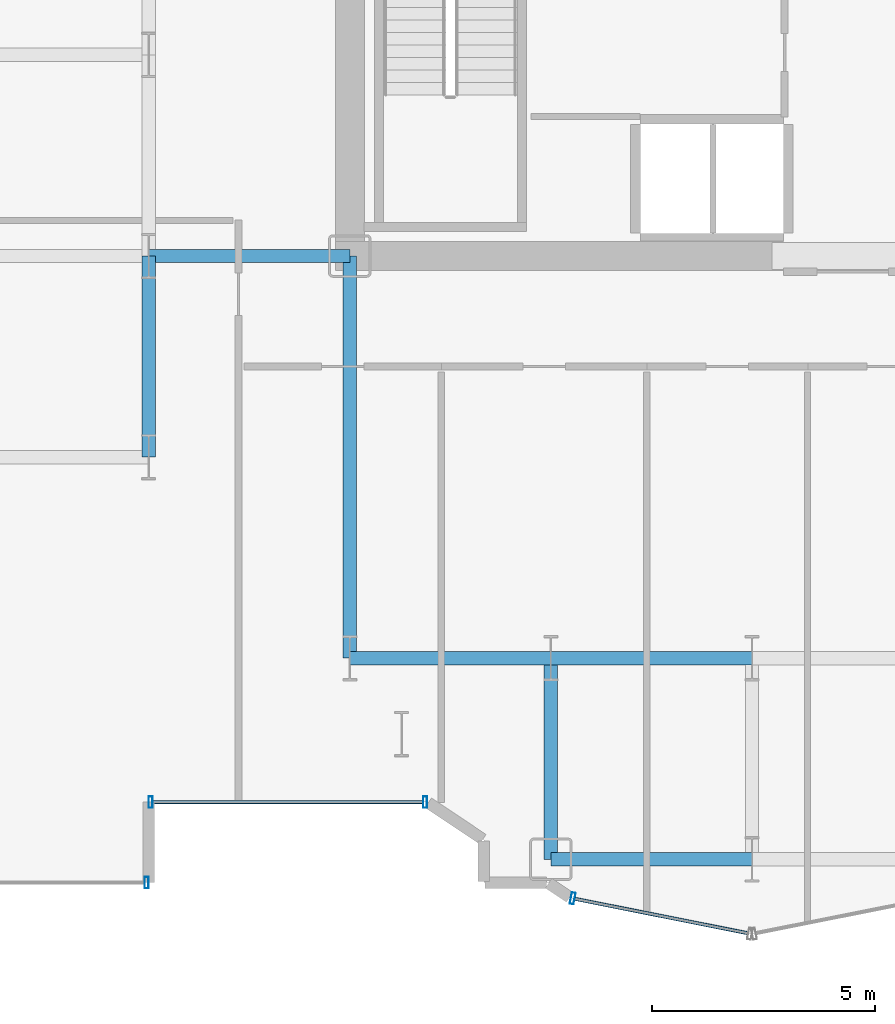
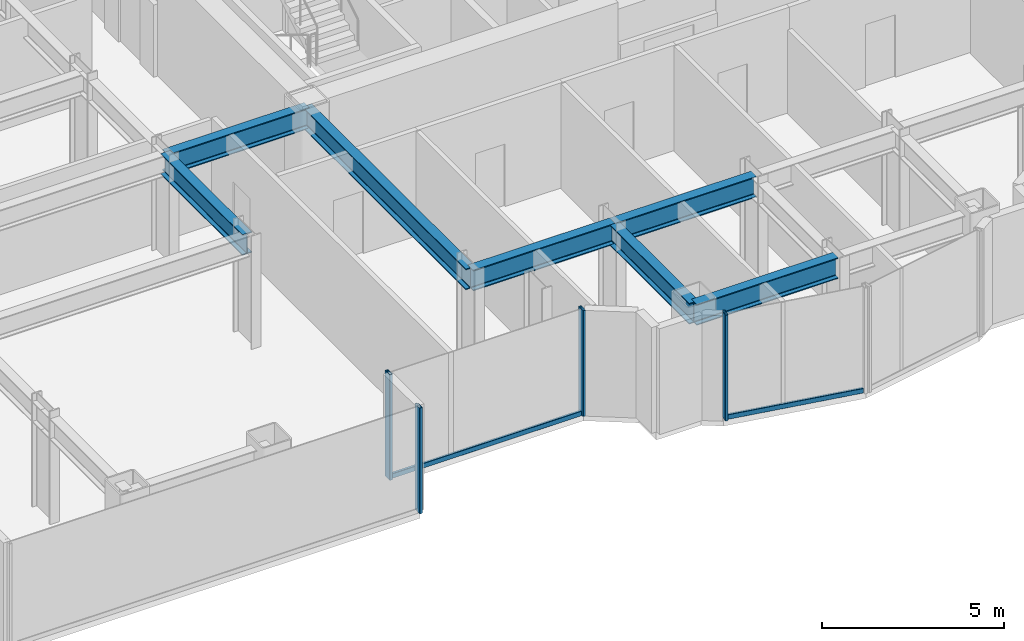
# One storey, part 4 of 30: 7 beams, 6 members, 3 elements without a shape of their own.
"""IFC4 building model written with IfcOpenShell, lengths in metres."""

import ifcopenshell
import ifcopenshell.guid

model = None  # the IFC model being written
_history = None  # IfcOwnerHistory: only IFC2X3 demands one
_inside = {}  # id of a spatial element -> (the spatial element, [elements in it])
_under = {}  # id of a project, library or spatial element -> (it, [spatial elements below it])
_declared = {}  # id of a project -> (the project, [libraries it declares])
_typed = {}  # id of a type object -> (the type object, [elements of that type])
_made_of = {}  # id of a material, layer set ... -> (it, [elements and type objects made of it])


def new_model(schema):
    """Start an empty IFC model of exactly this schema.

    Asked for "IFC4X3", IfcOpenShell would pick the latest addendum, in which some entities
    have other attributes; the version numbers below select the first issue.
    IFC2X3 requires an IfcOwnerHistory on every rooted entity: one is made here for all.
    """
    global model, _history
    if schema == "IFC4X3":
        model = ifcopenshell.file(schema_version=(4, 3, 0, 0))
    else:
        model = ifcopenshell.file(schema=schema)
    _inside.clear()
    _under.clear()
    _declared.clear()
    _typed.clear()
    _made_of.clear()
    _history = None
    if model.schema == "IFC2X3":
        org = make("IfcOrganization", Name="unknown")
        user = make(
            "IfcPersonAndOrganization",
            ThePerson=make("IfcPerson", FamilyName="unknown"),
            TheOrganization=org,
        )
        app = make(
            "IfcApplication",
            ApplicationDeveloper=org,
            Version="unknown",
            ApplicationFullName="unknown",
            ApplicationIdentifier="unknown",
        )
        _history = make(
            "IfcOwnerHistory",
            OwningUser=user,
            OwningApplication=app,
            ChangeAction="ADDED",
            CreationDate=0,
        )
    return model


def make(cls, **values):
    """One entity of the class cls with the attributes given. An attribute that is None is left unset."""
    return model.create_entity(
        cls, **{name: value for name, value in values.items() if value is not None}
    )


def rooted(cls, **values):
    """An entity with a GlobalId (a new one), such as an element, a storey or a relation."""
    return make(cls, GlobalId=ifcopenshell.guid.new(), OwnerHistory=_history, **values)


def si_unit(unit_type, name, prefix=None):
    """IfcSIUnit, for example si_unit("LENGTHUNIT", "METRE", prefix="MILLI")."""
    return make("IfcSIUnit", UnitType=unit_type, Prefix=prefix, Name=name)


def assignment(units):
    """IfcUnitAssignment: the units of a project."""
    return None if units is None else make("IfcUnitAssignment", Units=units)


def point(xyz):
    """IfcCartesianPoint."""
    return None if xyz is None else make("IfcCartesianPoint", Coordinates=xyz)


def direction(xyz):
    """IfcDirection."""
    return None if xyz is None else make("IfcDirection", DirectionRatios=xyz)


def frame(location, z_axis=None, x_axis=None):
    """IfcAxis2Placement3D, a coordinate frame: its origin and axes. An axis left out is left unset."""
    return make(
        "IfcAxis2Placement3D",
        Location=point(location),
        Axis=direction(z_axis),
        RefDirection=direction(x_axis),
    )


def frame_2d(location, x_axis=None):
    """IfcAxis2Placement2D, a coordinate frame in the plane: its origin and x axis."""
    return make(
        "IfcAxis2Placement2D", Location=point(location), RefDirection=direction(x_axis)
    )


def origin():
    """The frame at (0, 0, 0) with its axes left unset."""
    return frame((0.0, 0.0, 0.0))


def origin_2d():
    """The frame at (0, 0) in the plane with its x axis left unset."""
    return frame_2d((0.0, 0.0))


def place(relative_to, where):
    """IfcLocalPlacement: puts the frame where relative to a parent placement (None: the world)."""
    return make(
        "IfcLocalPlacement", PlacementRelTo=relative_to, RelativePlacement=where
    )


def context(
    kind, dimensions, precision=None, world=None, true_north=None, identifier=None
):
    """IfcGeometricRepresentationContext, for example the 3D "Model" context."""
    return make(
        "IfcGeometricRepresentationContext",
        ContextIdentifier=identifier,
        ContextType=kind,
        CoordinateSpaceDimension=dimensions,
        Precision=precision,
        WorldCoordinateSystem=world,
        TrueNorth=true_north,
    )


def subcontext(parent, identifier, kind, view, scale=None):
    """IfcGeometricRepresentationSubContext, for example "Body" below "Model"."""
    return make(
        "IfcGeometricRepresentationSubContext",
        ContextIdentifier=identifier,
        ContextType=kind,
        ParentContext=parent,
        TargetScale=scale,
        TargetView=view,
    )


def project(units=None, contexts=None):
    """IfcProject with its units and contexts."""
    return rooted(
        "IfcProject",
        Name="project",
        RepresentationContexts=contexts,
        UnitsInContext=assignment(units),
    )


def spatial(cls, under=None, at=None, **own):
    """A site, building, storey or space (cls), placed at a placement, below another one or the project."""
    s = rooted(cls, ObjectPlacement=at, **own)
    if under is not None:
        _under.setdefault(under.id(), (under, []))[1].append(s)
    return s


def profile(cls, at=None, kind="AREA", **sizes):
    """A parametric profile (cls). Its sizes go by their IFC names, for example OverallWidth=200.0."""
    return make(cls, ProfileType=kind, Position=at, **sizes)


def hollow_rectangle(**sizes):
    """IfcRectangleHollowProfileDef."""
    return profile("IfcRectangleHollowProfileDef", **sizes)


def i_section(**sizes):
    """IfcIShapeProfileDef."""
    return profile("IfcIShapeProfileDef", **sizes)


def extrude(swept, where, along, depth):
    """IfcExtrudedAreaSolid: the profile swept, set in the frame where, extruded along a direction by depth."""
    return make(
        "IfcExtrudedAreaSolid",
        SweptArea=swept,
        Position=where,
        ExtrudedDirection=direction(along),
        Depth=depth,
    )


def shape(context_of_items, identifier, shape_type, items):
    """IfcShapeRepresentation: the items that make up one representation, for example the "Body"."""
    return make(
        "IfcShapeRepresentation",
        ContextOfItems=context_of_items,
        RepresentationIdentifier=identifier,
        RepresentationType=shape_type,
        Items=items,
    )


def source(mapping_origin, context_of_items, identifier, shape_type, items):
    """IfcRepresentationMap: a shape defined once, which mapped items show again and again."""
    return make(
        "IfcRepresentationMap",
        MappingOrigin=mapping_origin,
        MappedRepresentation=shape(context_of_items, identifier, shape_type, items),
    )


def transform(
    local_origin,
    x_axis=None,
    y_axis=None,
    z_axis=None,
    scale=None,
    scale2=None,
    scale3=None,
    uniform=True,
):
    """IfcCartesianTransformationOperator3D, or its non-uniform kind. x_axis, y_axis, z_axis: its Axis1, 2, 3."""
    if uniform:
        return make(
            "IfcCartesianTransformationOperator3D",
            Axis1=direction(x_axis),
            Axis2=direction(y_axis),
            LocalOrigin=point(local_origin),
            Scale=scale,
            Axis3=direction(z_axis),
        )
    return make(
        "IfcCartesianTransformationOperator3DnonUniform",
        Axis1=direction(x_axis),
        Axis2=direction(y_axis),
        LocalOrigin=point(local_origin),
        Scale=scale,
        Axis3=direction(z_axis),
        Scale2=scale2,
        Scale3=scale3,
    )


def mapped(mapping_source, mapping_target):
    """IfcMappedItem: shows the shape of a source again, moved by a transform."""
    return make(
        "IfcMappedItem", MappingSource=mapping_source, MappingTarget=mapping_target
    )


def material(Name=None, Category=None):
    """IfcMaterial."""
    return make("IfcMaterial", Name=Name, Category=Category)


def layer(
    of_material, thickness, ventilated=None, Name=None, Category=None, Priority=None
):
    """IfcMaterialLayer: one layer of a wall or slab, of a material (None: an air gap)."""
    return make(
        "IfcMaterialLayer",
        Material=of_material,
        LayerThickness=thickness,
        IsVentilated=ventilated,
        Name=Name,
        Category=Category,
        Priority=Priority,
    )


def layer_set(layers, Name=None):
    """IfcMaterialLayerSet."""
    return make("IfcMaterialLayerSet", MaterialLayers=layers, LayerSetName=Name)


def material_profile(
    of_material, cross_section, Name=None, Category=None, Priority=None
):
    """IfcMaterialProfile: a cross section and its material."""
    return make(
        "IfcMaterialProfile",
        Name=Name,
        Material=of_material,
        Profile=cross_section,
        Priority=Priority,
        Category=Category,
    )


def profile_set(profiles, Name=None, composite=None):
    """IfcMaterialProfileSet."""
    return make(
        "IfcMaterialProfileSet",
        Name=Name,
        MaterialProfiles=profiles,
        CompositeProfile=composite,
    )


def made_of(thing, what):
    """Note that an element or type object is made of a material, layer set ...; save() writes the relation."""
    if what is not None:
        _made_of.setdefault(what.id(), (what, []))[1].append(thing)
    return thing


def type_object(cls, material=None, **own):
    """A type object (cls), such as IfcWallType, which elements share."""
    return made_of(rooted(cls, **own), material)


def element(
    cls,
    number,
    at=None,
    inside=None,
    cuts=None,
    type_object=None,
    material=None,
    context=None,
    identifier="Body",
    shape_type=None,
    held_by="IfcProductDefinitionShape",
    body=None,
    shapes=None,
    **own,
):
    """One element of the class cls, such as IfcWall. Its Tag is "e" and its number.

    at: its placement. inside: the storey or other place that contains it. cuts: it is an
    opening in that element (IfcRelVoidsElement). A single representation is given by context,
    identifier, shape_type and body (its items); several are given by shapes. held_by: the class
    of the entity that holds the representations. save() writes the other relations.
    """
    e = rooted(cls, Tag="e%d" % number, ObjectPlacement=at, **own)
    if body is not None:
        shapes = [shape(context, identifier, shape_type, body)]
    if shapes is not None:
        e.Representation = make(held_by, Representations=shapes)
    if inside is not None:
        _inside.setdefault(inside.id(), (inside, []))[1].append(e)
    if cuts is not None:
        rooted(
            "IfcRelVoidsElement", RelatingBuildingElement=cuts, RelatedOpeningElement=e
        )
    if type_object is not None:
        _typed.setdefault(type_object.id(), (type_object, []))[1].append(e)
    return made_of(e, material)


def aggregate(whole, parts):
    """IfcRelAggregates: a whole, such as a stair, and the parts it consists of."""
    return rooted("IfcRelAggregates", RelatingObject=whole, RelatedObjects=parts)


def save(model, path):
    """Write the relations noted so far, then the file.

    IfcRelAggregates (storeys below a building ...), IfcRelContainedInSpatialStructure (elements
    in a storey), IfcRelDefinesByType, IfcRelAssociatesMaterial and IfcRelDeclares: one each for
    every whole, place, type object, material and project.
    """
    for whole, parts in _under.values():
        aggregate(whole, parts)
    for where, things in _inside.values():
        rooted(
            "IfcRelContainedInSpatialStructure",
            RelatedElements=things,
            RelatingStructure=where,
        )
    for kind, things in _typed.values():
        rooted("IfcRelDefinesByType", RelatedObjects=things, RelatingType=kind)
    for what, things in _made_of.values():
        rooted("IfcRelAssociatesMaterial", RelatedObjects=things, RelatingMaterial=what)
    for by, libraries in _declared.values():
        rooted("IfcRelDeclares", RelatingContext=by, RelatedDefinitions=libraries)
    model.write(path)


model = new_model("IFC4")

# Units and contexts
model_context = context("Model", 3, precision=1e-05, world=origin(), true_north=direction((0.0, 1.0)))
body_context = subcontext(model_context, "Body", "Model", "MODEL_VIEW")
ifc_project = project(units=[si_unit("LENGTHUNIT", "METRE"), si_unit("AREAUNIT", "SQUARE_METRE"), si_unit("VOLUMEUNIT", "CUBIC_METRE"), si_unit("PLANEANGLEUNIT", "RADIAN"), si_unit("MASSUNIT", "GRAM", prefix="KILO")], contexts=[model_context])

# Site, building, storey
site_placement = place(None, origin())
site = spatial("IfcSite", under=ifc_project, at=site_placement, CompositionType="ELEMENT")
building_placement = place(site_placement, origin())
building = spatial("IfcBuilding", under=site, at=building_placement, Name="Nefas-Gora Pilgrimage Tower", CompositionType="ELEMENT")
storey_placement = place(building_placement, frame((0.0, 0.0, 33.0)))
storey = spatial("IfcBuildingStorey", under=building, at=storey_placement, Name="L06", CompositionType="ELEMENT", Elevation=33.0)

# Beams
ifc_material_1 = material(Name="Steel S355", Category="steel")
ifc_material_profile_1 = material_profile(ifc_material_1, i_section(OverallWidth=0.300048828125, OverallDepth=0.699951171875, WebThickness=0.01708984375, FlangeThickness=0.031982421875, FilletRadius=0.027099609375, at=origin_2d()), Name="HEB 700")
ifc_profile_set_1 = profile_set([ifc_material_profile_1], Name="Steel S355")
beam_type = type_object("IfcBeamType", Name="BM-GIR-HEB700", PredefinedType="BEAM", material=ifc_profile_set_1)
shared_shape_1 = source(origin(), body_context, "Body", "SweptSolid", [
    extrude(i_section(OverallWidth=0.300048828125, OverallDepth=0.699951171875, WebThickness=0.01708984375, FlangeThickness=0.031982421875, FilletRadius=0.027099609375, at=origin_2d()), origin(), (0.0, 0.0, 1.0), 9.0),
])
beam_placement = place(storey_placement, frame((-11.25, -18.0, 3.199951171875), z_axis=(0.0, 1.0, 0.0), x_axis=(-1.0, 0.0, 0.0)))
element("IfcBeam", 1, at=beam_placement, inside=storey, type_object=beam_type, Name="L06 G-02 beam", PredefinedType="BEAM", context=body_context, shape_type="MappedRepresentation", body=[
    mapped(shared_shape_1, transform((0.0, 0.0, 0.0), x_axis=(1.0, 0.0, 0.0), y_axis=(0.0, 1.0, 0.0), z_axis=(0.0, 0.0, 1.0), scale=1.0)),
])
shared_shape_2 = source(origin(), body_context, "Body", "SweptSolid", [
    extrude(i_section(OverallWidth=0.300048828125, OverallDepth=0.699951171875, WebThickness=0.01708984375, FlangeThickness=0.031982421875, FilletRadius=0.027099609375, at=origin_2d()), origin(), (0.0, 0.0, 1.0), 4.5),
])
for number, where, z_axis, x_axis, name in (
    (2, (-15.75, -13.5, 3.199951171875), (0.0, 1.0, 0.0), (-1.0, 0.0, 0.0), "L06 G-02 beam"),
    (3, (-15.75, -9.0, 3.199951171875), (1.0, 0.0, 0.0), (0.0, 1.0, 0.0), "L06 G-02 beam"),
    (4, (-11.25, -18.0, 3.199951171875), (1.0, 0.0, 0.0), (0.0, 1.0, 0.0), "L06 G-02 beam"),
    (5, (-6.75, -22.5, 3.199951171875), (0.0, 1.0, 0.0), (-1.0, 0.0, 0.0), "L06 G-02 beam"),
    (6, (-6.75, -22.5, 3.199951171875), (1.0, 0.0, 0.0), (0.0, 1.0, 0.0), "L06 G-02 beam"),
    (7, (-6.75, -18.0, 3.199951171875), (1.0, 0.0, 0.0), (0.0, 1.0, 0.0), "L06 G-02 beam"),
):
    element("IfcBeam", number, at=place(storey_placement, frame(where, z_axis=z_axis, x_axis=x_axis)), inside=storey, type_object=beam_type, Name=name, PredefinedType="BEAM", context=body_context, shape_type="MappedRepresentation", body=[
        mapped(shared_shape_2, transform((0.0, 0.0, 0.0), x_axis=(1.0, 0.0, 0.0), y_axis=(0.0, 1.0, 0.0), z_axis=(0.0, 0.0, 1.0), scale=1.0)),
    ])

# Curtain wall, members
ifc_material_2 = material(Name="Dark ceramic-fritted solar-control aluminium-glass curtain wall", Category="aluminium")
ifc_layer_1 = layer(ifc_material_2, 0.219970703125)
ifc_layer_set_1 = layer_set([ifc_layer_1], Name="Dark ceramic-fritted solar-control aluminium-glass curtain wall")
curtain_wall_type_1 = type_object("IfcCurtainWallType", Name="CW-SYS-5", PredefinedType="NOTDEFINED", material=ifc_layer_set_1)
curtain_wall_1_placement = place(storey_placement, origin())
curtain_wall_1 = element("IfcCurtainWall", 8, at=curtain_wall_1_placement, inside=storey, type_object=curtain_wall_type_1, Name="L06 Unitised Curtain Wall CW5", PredefinedType="NOTDEFINED")
ifc_material_3 = material(Name="Anodised architectural aluminium", Category="aluminium")
ifc_material_profile_2 = material_profile(ifc_material_3, hollow_rectangle(XDim=0.090087890625, YDim=0.260009765625, WallThickness=0.006103515625, InnerFilletRadius=0.006103515625, OuterFilletRadius=0.011962890625, at=origin_2d()), Name="ALU MULLION 90x260")
ifc_profile_set_2 = profile_set([ifc_material_profile_2], Name="Anodised architectural aluminium")
member_type_1 = type_object("IfcMemberType", Name="CWM-MUL-5", PredefinedType="MULLION", material=ifc_profile_set_2)
shared_shape_3 = source(origin(), body_context, "Body", "SweptSolid", [
    extrude(hollow_rectangle(XDim=0.090087890625, YDim=0.260009765625, WallThickness=0.006103515625, InnerFilletRadius=0.006103515625, OuterFilletRadius=0.011962890625, at=origin_2d()), origin(), (0.0, 0.0, 1.0), 3.550048828125),
])
member_1_placement = place(storey_placement, frame((-15.705078125, -21.219970703125, 0.0), z_axis=(0.0, 0.0, 1.0), x_axis=(1.0, 0.0, 0.0)))
member_1 = element("IfcMember", 9, at=member_1_placement, type_object=member_type_1, Name="CW5 Mullion 1", PredefinedType="MULLION", context=body_context, shape_type="MappedRepresentation", body=[
    mapped(shared_shape_3, transform((0.0, 0.0, 0.0), x_axis=(1.0, 0.0, 0.0), y_axis=(0.0, 1.0, 0.0), z_axis=(0.0, 0.0, 1.0), scale=1.0)),
])
member_2_placement = place(storey_placement, frame((-9.56298828125, -21.219970703125, 0.0), z_axis=(0.0, 0.0, 1.0), x_axis=(1.0, 0.0, 0.0)))
member_2 = element("IfcMember", 10, at=member_2_placement, type_object=member_type_1, Name="CW5 Mullion 2", PredefinedType="MULLION", context=body_context, shape_type="MappedRepresentation", body=[
    mapped(shared_shape_3, transform((0.0, 0.0, 0.0), x_axis=(1.0, 0.0, 0.0), y_axis=(0.0, 1.0, 0.0), z_axis=(0.0, 0.0, 1.0), scale=1.0)),
])

# Curtain wall, member
curtain_wall_2_placement = place(storey_placement, origin())
curtain_wall_2 = element("IfcCurtainWall", 11, at=curtain_wall_2_placement, inside=storey, type_object=curtain_wall_type_1, Name="L06 Unitised Curtain Wall CW5", PredefinedType="NOTDEFINED")
member_3_placement = place(storey_placement, frame((-6.26318359375, -23.3740234375, 0.0), z_axis=(0.0, 0.0, 1.0), x_axis=(0.980782896852, -0.195102304554, 0.0)))
member_3 = element("IfcMember", 12, at=member_3_placement, type_object=member_type_1, Name="CW5 Mullion 1", PredefinedType="MULLION", context=body_context, shape_type="MappedRepresentation", body=[
    mapped(shared_shape_3, transform((0.0, 0.0, 0.0), x_axis=(1.0, 0.0, 0.0), y_axis=(0.0, 1.0, 0.0), z_axis=(0.0, 0.0, 1.0), scale=1.0)),
])

# Member
ifc_material_profile_3 = material_profile(ifc_material_3, hollow_rectangle(XDim=0.080078125, YDim=0.159912109375, WallThickness=0.00439453125, InnerFilletRadius=0.00439453125, OuterFilletRadius=0.009033203125, at=origin_2d()), Name="ALU TRANSOM 80x160")
ifc_profile_set_3 = profile_set([ifc_material_profile_3], Name="Anodised architectural aluminium")
member_type_2 = type_object("IfcMemberType", Name="CWM-TRN-5", PredefinedType="USERDEFINED", material=ifc_profile_set_3)
shared_shape_4 = source(origin(), body_context, "Body", "SweptSolid", [
    extrude(hollow_rectangle(XDim=0.080078125, YDim=0.159912109375, WallThickness=0.00439453125, InnerFilletRadius=0.00439453125, OuterFilletRadius=0.009033203125, at=origin_2d()), origin(), (0.0, 0.0, 1.0), 6.052001953125),
])
member_4_placement = place(storey_placement, frame((-15.659912109375, -21.219970703125, 0.050048828125), z_axis=(1.0, 0.0, 0.0), x_axis=(0.0, 1.0, 0.0)))
member_4 = element("IfcMember", 13, at=member_4_placement, type_object=member_type_2, Name="CW5 Spandrel Transom", ObjectType="TRANSOM", PredefinedType="USERDEFINED", context=body_context, shape_type="MappedRepresentation", body=[
    mapped(shared_shape_4, transform((0.0, 0.0, 0.0), x_axis=(1.0, 0.0, 0.0), y_axis=(0.0, 1.0, 0.0), z_axis=(0.0, 0.0, 1.0), scale=1.0)),
])

aggregate(curtain_wall_1, [member_1, member_2, member_4])

# Curtain wall, member
ifc_layer_2 = layer(ifc_material_2, 0.219970703125)
ifc_layer_set_2 = layer_set([ifc_layer_2], Name="Dark ceramic-fritted solar-control aluminium-glass curtain wall")
curtain_wall_type_2 = type_object("IfcCurtainWallType", Name="CW-SYS-2", PredefinedType="NOTDEFINED", material=ifc_layer_set_2)
curtain_wall_3_placement = place(storey_placement, origin())
curtain_wall_3 = element("IfcCurtainWall", 14, at=curtain_wall_3_placement, inside=storey, type_object=curtain_wall_type_2, Name="L06 Unitised Curtain Wall CW2", PredefinedType="NOTDEFINED")
ifc_material_profile_4 = material_profile(ifc_material_3, hollow_rectangle(XDim=0.090087890625, YDim=0.260009765625, WallThickness=0.006103515625, InnerFilletRadius=0.006103515625, OuterFilletRadius=0.011962890625, at=origin_2d()), Name="ALU MULLION 90x260")
ifc_profile_set_4 = profile_set([ifc_material_profile_4], Name="Anodised architectural aluminium")
member_type_3 = type_object("IfcMemberType", Name="CWM-MUL-2", PredefinedType="MULLION", material=ifc_profile_set_4)
shared_shape_5 = source(origin(), body_context, "Body", "SweptSolid", [
    extrude(hollow_rectangle(XDim=0.090087890625, YDim=0.260009765625, WallThickness=0.006103515625, InnerFilletRadius=0.006103515625, OuterFilletRadius=0.011962890625, at=origin_2d()), origin(), (0.0, 0.0, 1.0), 3.550048828125),
])
member_5_placement = place(storey_placement, frame((-15.794921875, -23.02001953125, 0.0), z_axis=(0.0, 0.0, 1.0), x_axis=(1.0, 0.0, 0.0)))
member_5 = element("IfcMember", 15, at=member_5_placement, type_object=member_type_3, Name="CW2 Mullion 2", PredefinedType="MULLION", context=body_context, shape_type="MappedRepresentation", body=[
    mapped(shared_shape_5, transform((0.0, 0.0, 0.0), x_axis=(1.0, 0.0, 0.0), y_axis=(0.0, 1.0, 0.0), z_axis=(0.0, 0.0, 1.0), scale=1.0)),
])
aggregate(curtain_wall_3, [member_5])

# Member
shared_shape_6 = source(origin(), body_context, "Body", "SweptSolid", [
    extrude(hollow_rectangle(XDim=0.080078125, YDim=0.159912109375, WallThickness=0.00439453125, InnerFilletRadius=0.00439453125, OuterFilletRadius=0.009033203125, at=origin_2d()), origin(), (0.0, 0.0, 1.0), 3.95654296875),
])
member_6_placement = place(storey_placement, frame((-6.218994140625, -23.3828125, 0.050048828125), z_axis=(0.980781880918, -0.195107411605, 0.0), x_axis=(0.195107411605, 0.980781880918, 0.0)))
member_6 = element("IfcMember", 16, at=member_6_placement, type_object=member_type_2, Name="CW5 Spandrel Transom", ObjectType="TRANSOM", PredefinedType="USERDEFINED", context=body_context, shape_type="MappedRepresentation", body=[
    mapped(shared_shape_6, transform((0.0, 0.0, 0.0), x_axis=(1.0, 0.0, 0.0), y_axis=(0.0, 1.0, 0.0), z_axis=(0.0, 0.0, 1.0), scale=1.0)),
])

aggregate(curtain_wall_2, [member_3, member_6])

save(model, "model.ifc")
